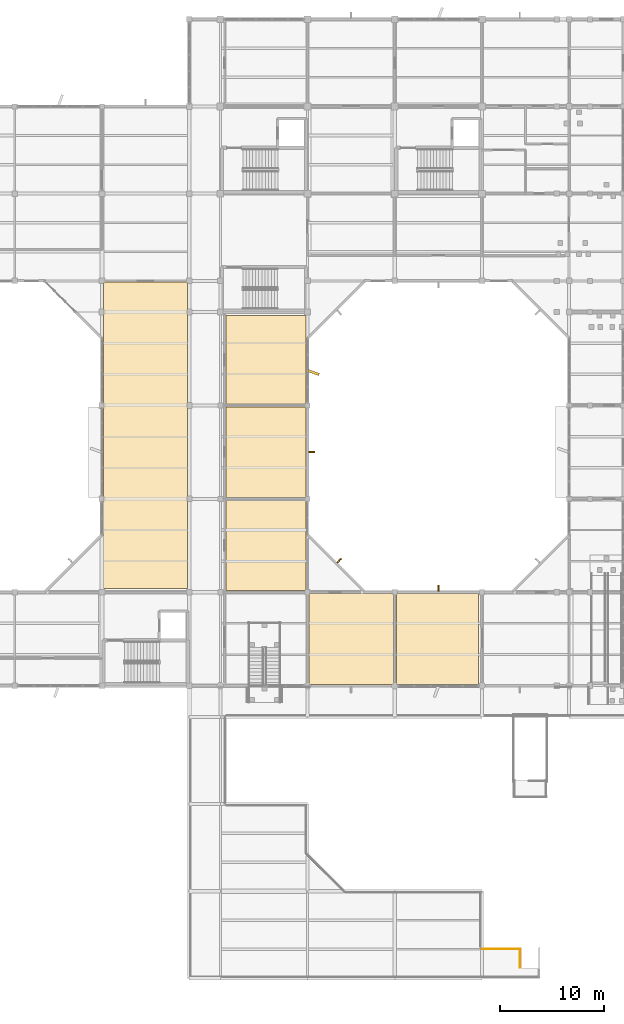
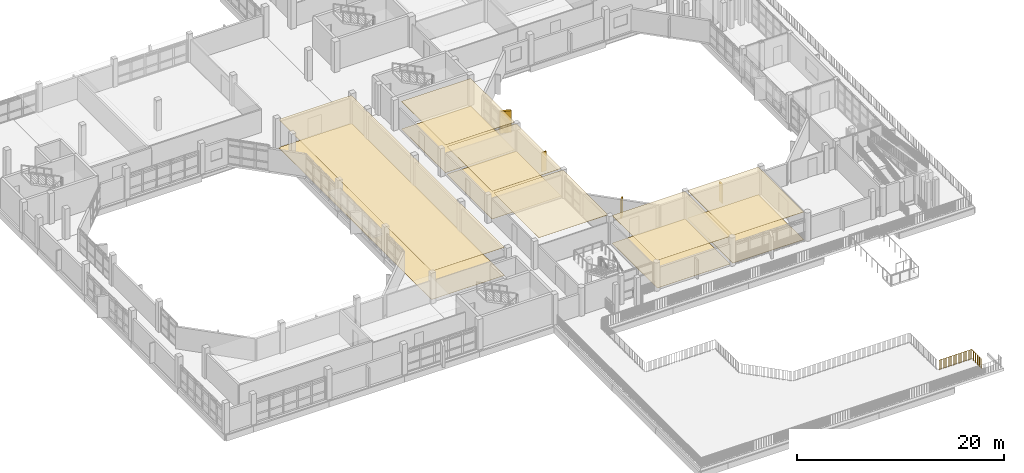
# One storey, part 42 of 51: 12 coverings, 3 shading devices, 2 railings.
"""IFC4 building model written with IfcOpenShell, lengths in metres."""

from ifc_helpers import new_model, si_unit, direction, frame, origin, origin_2d, place, context, subcontext, project, spatial, polyline, rectangle, circle, outline, extrude, material, layer, layer_set, type_object, element, save


model = new_model("IFC4")

# Units and contexts
model_context = context("Model", 3, precision=1e-05, world=origin(), true_north=direction((0.0, 1.0)))
body_context = subcontext(model_context, "Body", "Model", "MODEL_VIEW")
ifc_project = project(units=[si_unit("LENGTHUNIT", "METRE"), si_unit("AREAUNIT", "SQUARE_METRE"), si_unit("VOLUMEUNIT", "CUBIC_METRE"), si_unit("PLANEANGLEUNIT", "RADIAN"), si_unit("MASSUNIT", "GRAM", prefix="KILO")], contexts=[model_context])

# Site, building, storey
site_placement = place(None, origin())
site = spatial("IfcSite", under=ifc_project, at=site_placement, CompositionType="ELEMENT")
building_placement = place(site_placement, origin())
building = spatial("IfcBuilding", under=site, at=building_placement, Name="Vanh Quang Courtyard School", CompositionType="ELEMENT")
storey_placement = place(building_placement, frame((0.0, 0.0, 11.39990234375)))
storey = spatial("IfcBuildingStorey", under=building, at=storey_placement, Name="L03", CompositionType="ELEMENT", Elevation=11.39990234375)

# Coverings
ifc_material_1 = material(Name="Perforated mineral-fibre acoustic ceiling board")
ifc_layer_1 = layer(ifc_material_1, 0.02490234375)
ifc_layer_set_1 = layer_set([ifc_layer_1], Name="Perforated mineral-fibre acoustic ceiling board")
covering_type_1 = type_object("IfcCoveringType", Name="COV-CEIL-ACOUSTIC", PredefinedType="CEILING", material=ifc_layer_set_1)
covering_1_placement = place(storey_placement, frame((0.0, 0.0, 3.315185546875)))
element("IfcCovering", 1, at=covering_1_placement, inside=storey, type_object=covering_type_1, Name="Covering CV-CL1 (L03)", PredefinedType="CEILING", context=body_context, shape_type="SweptSolid", body=[
    extrude(outline(polyline([(66.1298828125, 71.260009765625), (66.1298828125, 71.260986328125), (66.130126953125, 71.261962890625), (66.13037109375, 71.262939453125), (66.130859375, 71.263916015625), (66.131103515625, 71.2646484375), (66.131591796875, 71.265625), (66.13232421875, 71.266357421875), (66.1328125, 71.26708984375), (66.1337890625, 71.267578125), (66.134521484375, 71.268310546875), (66.13525390625, 71.268798828125), (66.13623046875, 71.269287109375), (66.13720703125, 71.26953125), (66.137939453125, 71.269775390625), (66.138916015625, 71.27001953125), (66.139892578125, 71.27001953125), (74.239990234375, 71.27001953125), (74.240966796875, 71.27001953125), (74.241943359375, 71.269775390625), (74.242919921875, 71.26953125), (74.243896484375, 71.269287109375), (74.24462890625, 71.268798828125), (74.24560546875, 71.268310546875), (74.246337890625, 71.267578125), (74.2470703125, 71.26708984375), (74.247802734375, 71.266357421875), (74.248291015625, 71.265625), (74.248779296875, 71.2646484375), (74.249267578125, 71.263916015625), (74.24951171875, 71.262939453125), (74.249755859375, 71.261962890625), (74.25, 71.260986328125), (74.25, 71.260009765625), (74.25, 41.75), (66.1298828125, 41.75), (66.1298828125, 71.260009765625)])), origin(), (0.0, 0.0, 1.0), 0.02490234375),
])
covering_2_placement = place(storey_placement, frame((0.0, 0.0, 3.255126953125)))
element("IfcCovering", 2, at=covering_2_placement, inside=storey, type_object=covering_type_1, Name="Covering CV-CL1 (L03)", PredefinedType="CEILING", context=body_context, shape_type="SweptSolid", body=[
    extrude(outline(polyline([(77.9599609375, 41.550048828125), (77.958984375, 41.550048828125), (77.9580078125, 41.55029296875), (77.95703125, 41.55029296875), (77.956298828125, 41.55078125), (77.955322265625, 41.55126953125), (77.954345703125, 41.5517578125), (77.95361328125, 41.55224609375), (77.952880859375, 41.552978515625), (77.952392578125, 41.5537109375), (77.95166015625, 41.554443359375), (77.951171875, 41.555419921875), (77.95068359375, 41.55615234375), (77.950439453125, 41.55712890625), (77.9501953125, 41.55810546875), (77.949951171875, 41.55908203125), (77.949951171875, 41.56005859375), (77.949951171875, 50.260009765625), (77.949951171875, 50.260986328125), (77.9501953125, 50.261962890625), (77.950439453125, 50.262939453125), (77.95068359375, 50.263916015625), (77.951171875, 50.2646484375), (77.95166015625, 50.265625), (77.952392578125, 50.266357421875), (77.952880859375, 50.26708984375), (77.95361328125, 50.267578125), (77.954345703125, 50.268310546875), (77.955322265625, 50.268798828125), (77.956298828125, 50.269287109375), (77.95703125, 50.26953125), (77.9580078125, 50.269775390625), (77.958984375, 50.27001953125), (77.9599609375, 50.27001953125), (85.659912109375, 50.27001953125), (85.660888671875, 50.27001953125), (85.662109375, 50.269775390625), (85.662841796875, 50.26953125), (85.663818359375, 50.269287109375), (85.664794921875, 50.268798828125), (85.66552734375, 50.268310546875), (85.666259765625, 50.267578125), (85.6669921875, 50.26708984375), (85.667724609375, 50.266357421875), (85.668212890625, 50.265625), (85.668701171875, 50.2646484375), (85.669189453125, 50.263916015625), (85.669677734375, 50.262939453125), (85.669921875, 50.261962890625), (85.669921875, 50.260986328125), (85.669921875, 50.260009765625), (85.669921875, 41.56005859375), (85.669921875, 41.55908203125), (85.669921875, 41.55810546875), (85.669677734375, 41.55712890625), (85.669189453125, 41.55615234375), (85.668701171875, 41.555419921875), (85.668212890625, 41.554443359375), (85.667724609375, 41.5537109375), (85.6669921875, 41.552978515625), (85.666259765625, 41.55224609375), (85.66552734375, 41.5517578125), (85.664794921875, 41.55126953125), (85.663818359375, 41.55078125), (85.662841796875, 41.55029296875), (85.662109375, 41.55029296875), (85.660888671875, 41.550048828125), (85.659912109375, 41.550048828125), (77.9599609375, 41.550048828125)])), origin(), (0.0, 0.0, 1.0), 0.02490234375),
])
covering_3_placement = place(storey_placement, frame((0.0, 0.0, 3.255126953125)))
element("IfcCovering", 3, at=covering_3_placement, inside=storey, type_object=covering_type_1, Name="Covering CV-CL1 (L03)", PredefinedType="CEILING", context=body_context, shape_type="SweptSolid", body=[
    extrude(outline(polyline([(77.9599609375, 50.550048828125), (77.958984375, 50.550048828125), (77.9580078125, 50.55029296875), (77.95703125, 50.55029296875), (77.956298828125, 50.55078125), (77.955322265625, 50.55126953125), (77.954345703125, 50.5517578125), (77.95361328125, 50.55224609375), (77.952880859375, 50.552978515625), (77.952392578125, 50.5537109375), (77.95166015625, 50.554443359375), (77.951171875, 50.555419921875), (77.95068359375, 50.55615234375), (77.950439453125, 50.55712890625), (77.9501953125, 50.55810546875), (77.949951171875, 50.55908203125), (77.949951171875, 50.56005859375), (77.949951171875, 59.260009765625), (77.949951171875, 59.260986328125), (77.9501953125, 59.261962890625), (77.950439453125, 59.262939453125), (77.95068359375, 59.263916015625), (77.951171875, 59.2646484375), (77.95166015625, 59.265625), (77.952392578125, 59.266357421875), (77.952880859375, 59.26708984375), (77.95361328125, 59.267578125), (77.954345703125, 59.268310546875), (77.955322265625, 59.268798828125), (77.956298828125, 59.269287109375), (77.95703125, 59.26953125), (77.9580078125, 59.269775390625), (77.958984375, 59.27001953125), (77.9599609375, 59.27001953125), (85.659912109375, 59.27001953125), (85.660888671875, 59.27001953125), (85.662109375, 59.269775390625), (85.662841796875, 59.26953125), (85.663818359375, 59.269287109375), (85.664794921875, 59.268798828125), (85.66552734375, 59.268310546875), (85.666259765625, 59.267578125), (85.6669921875, 59.26708984375), (85.667724609375, 59.266357421875), (85.668212890625, 59.265625), (85.668701171875, 59.2646484375), (85.669189453125, 59.263916015625), (85.669677734375, 59.262939453125), (85.669921875, 59.261962890625), (85.669921875, 59.260986328125), (85.669921875, 59.260009765625), (85.669921875, 50.56005859375), (85.669921875, 50.55908203125), (85.669921875, 50.55810546875), (85.669677734375, 50.55712890625), (85.669189453125, 50.55615234375), (85.668701171875, 50.555419921875), (85.668212890625, 50.554443359375), (85.667724609375, 50.5537109375), (85.6669921875, 50.552978515625), (85.666259765625, 50.55224609375), (85.66552734375, 50.5517578125), (85.664794921875, 50.55126953125), (85.663818359375, 50.55078125), (85.662841796875, 50.55029296875), (85.662109375, 50.55029296875), (85.660888671875, 50.550048828125), (85.659912109375, 50.550048828125), (77.9599609375, 50.550048828125)])), origin(), (0.0, 0.0, 1.0), 0.02490234375),
])
covering_4_placement = place(storey_placement, frame((0.0, 0.0, 3.255126953125)))
element("IfcCovering", 4, at=covering_4_placement, inside=storey, type_object=covering_type_1, Name="Covering CV-CL1 (L03)", PredefinedType="CEILING", context=body_context, shape_type="SweptSolid", body=[
    extrude(outline(polyline([(77.9599609375, 59.550048828125), (77.958984375, 59.550048828125), (77.9580078125, 59.55029296875), (77.95703125, 59.55029296875), (77.956298828125, 59.55078125), (77.955322265625, 59.55126953125), (77.954345703125, 59.5517578125), (77.95361328125, 59.55224609375), (77.952880859375, 59.552978515625), (77.952392578125, 59.5537109375), (77.95166015625, 59.554443359375), (77.951171875, 59.555419921875), (77.95068359375, 59.55615234375), (77.950439453125, 59.55712890625), (77.9501953125, 59.55810546875), (77.949951171875, 59.55908203125), (77.949951171875, 59.56005859375), (77.949951171875, 68.050048828125), (85.669921875, 68.050048828125), (85.669921875, 59.56005859375), (85.669921875, 59.55908203125), (85.669921875, 59.55810546875), (85.669677734375, 59.55712890625), (85.669189453125, 59.55615234375), (85.668701171875, 59.555419921875), (85.668212890625, 59.554443359375), (85.667724609375, 59.5537109375), (85.6669921875, 59.552978515625), (85.666259765625, 59.55224609375), (85.66552734375, 59.5517578125), (85.664794921875, 59.55126953125), (85.663818359375, 59.55078125), (85.662841796875, 59.55029296875), (85.662109375, 59.55029296875), (85.660888671875, 59.550048828125), (85.659912109375, 59.550048828125), (77.9599609375, 59.550048828125)])), origin(), (0.0, 0.0, 1.0), 0.02490234375),
])
covering_5_placement = place(storey_placement, frame((0.0, 0.0, 3.255126953125)))
element("IfcCovering", 5, at=covering_5_placement, inside=storey, type_object=covering_type_1, Name="Covering CV-CL1 (L03)", PredefinedType="CEILING", context=body_context, shape_type="SweptSolid", body=[
    extrude(outline(polyline([(85.9599609375, 32.530029296875), (85.958984375, 32.530029296875), (85.9580078125, 32.5302734375), (85.95703125, 32.530517578125), (85.956298828125, 32.53076171875), (85.955322265625, 32.53125), (85.954345703125, 32.53173828125), (85.95361328125, 32.5322265625), (85.952880859375, 32.532958984375), (85.952392578125, 32.53369140625), (85.95166015625, 32.534423828125), (85.951171875, 32.535400390625), (85.95068359375, 32.5361328125), (85.950439453125, 32.537109375), (85.9501953125, 32.5380859375), (85.949951171875, 32.5390625), (85.949951171875, 32.5400390625), (85.949951171875, 41.260009765625), (85.949951171875, 41.260986328125), (85.9501953125, 41.261962890625), (85.950439453125, 41.262939453125), (85.95068359375, 41.263916015625), (85.951171875, 41.2646484375), (85.95166015625, 41.265625), (85.952392578125, 41.266357421875), (85.952880859375, 41.26708984375), (85.95361328125, 41.267578125), (85.954345703125, 41.268310546875), (85.955322265625, 41.268798828125), (85.956298828125, 41.269287109375), (85.95703125, 41.26953125), (85.9580078125, 41.269775390625), (85.958984375, 41.27001953125), (85.9599609375, 41.27001953125), (94.06005859375, 41.27001953125), (94.06103515625, 41.27001953125), (94.06201171875, 41.269775390625), (94.06298828125, 41.26953125), (94.063720703125, 41.269287109375), (94.064697265625, 41.268798828125), (94.065673828125, 41.268310546875), (94.06640625, 41.267578125), (94.067138671875, 41.26708984375), (94.067626953125, 41.266357421875), (94.068359375, 41.265625), (94.06884765625, 41.2646484375), (94.069091796875, 41.263916015625), (94.069580078125, 41.262939453125), (94.06982421875, 41.261962890625), (94.070068359375, 41.260986328125), (94.070068359375, 41.260009765625), (94.070068359375, 32.5400390625), (94.070068359375, 32.5390625), (94.06982421875, 32.5380859375), (94.069580078125, 32.537109375), (94.069091796875, 32.5361328125), (94.06884765625, 32.535400390625), (94.068359375, 32.534423828125), (94.067626953125, 32.53369140625), (94.067138671875, 32.532958984375), (94.06640625, 32.5322265625), (94.065673828125, 32.53173828125), (94.064697265625, 32.53125), (94.063720703125, 32.53076171875), (94.06298828125, 32.530517578125), (94.06201171875, 32.5302734375), (94.06103515625, 32.530029296875), (94.06005859375, 32.530029296875), (85.9599609375, 32.530029296875)])), origin(), (0.0, 0.0, 1.0), 0.02490234375),
])
covering_6_placement = place(storey_placement, frame((0.0, 0.0, 3.255126953125)))
element("IfcCovering", 6, at=covering_6_placement, inside=storey, type_object=covering_type_1, Name="Covering CV-CL1 (L03)", PredefinedType="CEILING", context=body_context, shape_type="SweptSolid", body=[
    extrude(outline(polyline([(94.360107421875, 32.530029296875), (94.35888671875, 32.530029296875), (94.35791015625, 32.5302734375), (94.357177734375, 32.530517578125), (94.356201171875, 32.53076171875), (94.355224609375, 32.53125), (94.3544921875, 32.53173828125), (94.353759765625, 32.5322265625), (94.352783203125, 32.532958984375), (94.352294921875, 32.53369140625), (94.351806640625, 32.534423828125), (94.351318359375, 32.535400390625), (94.350830078125, 32.5361328125), (94.350341796875, 32.537109375), (94.35009765625, 32.5380859375), (94.35009765625, 32.5390625), (94.35009765625, 32.5400390625), (94.35009765625, 41.260009765625), (94.35009765625, 41.260986328125), (94.35009765625, 41.261962890625), (94.350341796875, 41.262939453125), (94.350830078125, 41.263916015625), (94.351318359375, 41.2646484375), (94.351806640625, 41.265625), (94.352294921875, 41.266357421875), (94.352783203125, 41.26708984375), (94.353759765625, 41.267578125), (94.3544921875, 41.268310546875), (94.355224609375, 41.268798828125), (94.356201171875, 41.269287109375), (94.357177734375, 41.26953125), (94.35791015625, 41.269775390625), (94.35888671875, 41.27001953125), (94.360107421875, 41.27001953125), (102.25, 41.27001953125), (102.25, 32.530029296875), (94.360107421875, 32.530029296875)])), origin(), (0.0, 0.0, 1.0), 0.02490234375),
])
ifc_material_2 = material(Name="Polished cementitious terrazzo tile", Category="concrete")
ifc_layer_2 = layer(ifc_material_2, 0.02001953125)
ifc_layer_set_2 = layer_set([ifc_layer_2], Name="Polished cementitious terrazzo tile")
covering_type_2 = type_object("IfcCoveringType", Name="COV-FLR-TERRAZZO", PredefinedType="FLOORING", material=ifc_layer_set_2)
covering_7_placement = place(storey_placement, origin())
element("IfcCovering", 7, at=covering_7_placement, inside=storey, type_object=covering_type_2, Name="Covering CV-FL1 (L03)", PredefinedType="FLOORING", context=body_context, shape_type="SweptSolid", body=[
    extrude(outline(polyline([(66.1298828125, 71.260009765625), (66.1298828125, 71.260986328125), (66.130126953125, 71.261962890625), (66.13037109375, 71.262939453125), (66.130859375, 71.263916015625), (66.131103515625, 71.2646484375), (66.131591796875, 71.265625), (66.13232421875, 71.266357421875), (66.1328125, 71.26708984375), (66.1337890625, 71.267578125), (66.134521484375, 71.268310546875), (66.13525390625, 71.268798828125), (66.13623046875, 71.269287109375), (66.13720703125, 71.26953125), (66.137939453125, 71.269775390625), (66.138916015625, 71.27001953125), (66.139892578125, 71.27001953125), (74.239990234375, 71.27001953125), (74.240966796875, 71.27001953125), (74.241943359375, 71.269775390625), (74.242919921875, 71.26953125), (74.243896484375, 71.269287109375), (74.24462890625, 71.268798828125), (74.24560546875, 71.268310546875), (74.246337890625, 71.267578125), (74.2470703125, 71.26708984375), (74.247802734375, 71.266357421875), (74.248291015625, 71.265625), (74.248779296875, 71.2646484375), (74.249267578125, 71.263916015625), (74.24951171875, 71.262939453125), (74.249755859375, 71.261962890625), (74.25, 71.260986328125), (74.25, 71.260009765625), (74.25, 41.75), (66.1298828125, 41.75), (66.1298828125, 71.260009765625)])), origin(), (0.0, 0.0, 1.0), 0.02001953125),
])
covering_8_placement = place(storey_placement, origin())
element("IfcCovering", 8, at=covering_8_placement, inside=storey, type_object=covering_type_2, Name="Covering CV-FL1 (L03)", PredefinedType="FLOORING", context=body_context, shape_type="SweptSolid", body=[
    extrude(outline(polyline([(77.9599609375, 50.550048828125), (77.958984375, 50.550048828125), (77.9580078125, 50.55029296875), (77.95703125, 50.55029296875), (77.956298828125, 50.55078125), (77.955322265625, 50.55126953125), (77.954345703125, 50.5517578125), (77.95361328125, 50.55224609375), (77.952880859375, 50.552978515625), (77.952392578125, 50.5537109375), (77.95166015625, 50.554443359375), (77.951171875, 50.555419921875), (77.95068359375, 50.55615234375), (77.950439453125, 50.55712890625), (77.9501953125, 50.55810546875), (77.949951171875, 50.55908203125), (77.949951171875, 50.56005859375), (77.949951171875, 59.260009765625), (77.949951171875, 59.260986328125), (77.9501953125, 59.261962890625), (77.950439453125, 59.262939453125), (77.95068359375, 59.263916015625), (77.951171875, 59.2646484375), (77.95166015625, 59.265625), (77.952392578125, 59.266357421875), (77.952880859375, 59.26708984375), (77.95361328125, 59.267578125), (77.954345703125, 59.268310546875), (77.955322265625, 59.268798828125), (77.956298828125, 59.269287109375), (77.95703125, 59.26953125), (77.9580078125, 59.269775390625), (77.958984375, 59.27001953125), (77.9599609375, 59.27001953125), (85.659912109375, 59.27001953125), (85.660888671875, 59.27001953125), (85.662109375, 59.269775390625), (85.662841796875, 59.26953125), (85.663818359375, 59.269287109375), (85.664794921875, 59.268798828125), (85.66552734375, 59.268310546875), (85.666259765625, 59.267578125), (85.6669921875, 59.26708984375), (85.667724609375, 59.266357421875), (85.668212890625, 59.265625), (85.668701171875, 59.2646484375), (85.669189453125, 59.263916015625), (85.669677734375, 59.262939453125), (85.669921875, 59.261962890625), (85.669921875, 59.260986328125), (85.669921875, 59.260009765625), (85.669921875, 50.56005859375), (85.669921875, 50.55908203125), (85.669921875, 50.55810546875), (85.669677734375, 50.55712890625), (85.669189453125, 50.55615234375), (85.668701171875, 50.555419921875), (85.668212890625, 50.554443359375), (85.667724609375, 50.5537109375), (85.6669921875, 50.552978515625), (85.666259765625, 50.55224609375), (85.66552734375, 50.5517578125), (85.664794921875, 50.55126953125), (85.663818359375, 50.55078125), (85.662841796875, 50.55029296875), (85.662109375, 50.55029296875), (85.660888671875, 50.550048828125), (85.659912109375, 50.550048828125), (77.9599609375, 50.550048828125)])), origin(), (0.0, 0.0, 1.0), 0.02001953125),
])
covering_9_placement = place(storey_placement, origin())
element("IfcCovering", 9, at=covering_9_placement, inside=storey, type_object=covering_type_2, Name="Covering CV-FL1 (L03)", PredefinedType="FLOORING", context=body_context, shape_type="SweptSolid", body=[
    extrude(outline(polyline([(77.9599609375, 59.550048828125), (77.958984375, 59.550048828125), (77.9580078125, 59.55029296875), (77.95703125, 59.55029296875), (77.956298828125, 59.55078125), (77.955322265625, 59.55126953125), (77.954345703125, 59.5517578125), (77.95361328125, 59.55224609375), (77.952880859375, 59.552978515625), (77.952392578125, 59.5537109375), (77.95166015625, 59.554443359375), (77.951171875, 59.555419921875), (77.95068359375, 59.55615234375), (77.950439453125, 59.55712890625), (77.9501953125, 59.55810546875), (77.949951171875, 59.55908203125), (77.949951171875, 59.56005859375), (77.949951171875, 68.050048828125), (85.669921875, 68.050048828125), (85.669921875, 59.56005859375), (85.669921875, 59.55908203125), (85.669921875, 59.55810546875), (85.669677734375, 59.55712890625), (85.669189453125, 59.55615234375), (85.668701171875, 59.555419921875), (85.668212890625, 59.554443359375), (85.667724609375, 59.5537109375), (85.6669921875, 59.552978515625), (85.666259765625, 59.55224609375), (85.66552734375, 59.5517578125), (85.664794921875, 59.55126953125), (85.663818359375, 59.55078125), (85.662841796875, 59.55029296875), (85.662109375, 59.55029296875), (85.660888671875, 59.550048828125), (85.659912109375, 59.550048828125), (77.9599609375, 59.550048828125)])), origin(), (0.0, 0.0, 1.0), 0.02001953125),
])
covering_10_placement = place(storey_placement, origin())
element("IfcCovering", 10, at=covering_10_placement, inside=storey, type_object=covering_type_2, Name="Covering CV-FL1 (L03)", PredefinedType="FLOORING", context=body_context, shape_type="SweptSolid", body=[
    extrude(outline(polyline([(85.9599609375, 32.530029296875), (85.958984375, 32.530029296875), (85.9580078125, 32.5302734375), (85.95703125, 32.530517578125), (85.956298828125, 32.53076171875), (85.955322265625, 32.53125), (85.954345703125, 32.53173828125), (85.95361328125, 32.5322265625), (85.952880859375, 32.532958984375), (85.952392578125, 32.53369140625), (85.95166015625, 32.534423828125), (85.951171875, 32.535400390625), (85.95068359375, 32.5361328125), (85.950439453125, 32.537109375), (85.9501953125, 32.5380859375), (85.949951171875, 32.5390625), (85.949951171875, 32.5400390625), (85.949951171875, 41.260009765625), (85.949951171875, 41.260986328125), (85.9501953125, 41.261962890625), (85.950439453125, 41.262939453125), (85.95068359375, 41.263916015625), (85.951171875, 41.2646484375), (85.95166015625, 41.265625), (85.952392578125, 41.266357421875), (85.952880859375, 41.26708984375), (85.95361328125, 41.267578125), (85.954345703125, 41.268310546875), (85.955322265625, 41.268798828125), (85.956298828125, 41.269287109375), (85.95703125, 41.26953125), (85.9580078125, 41.269775390625), (85.958984375, 41.27001953125), (85.9599609375, 41.27001953125), (94.06005859375, 41.27001953125), (94.06103515625, 41.27001953125), (94.06201171875, 41.269775390625), (94.06298828125, 41.26953125), (94.063720703125, 41.269287109375), (94.064697265625, 41.268798828125), (94.065673828125, 41.268310546875), (94.06640625, 41.267578125), (94.067138671875, 41.26708984375), (94.067626953125, 41.266357421875), (94.068359375, 41.265625), (94.06884765625, 41.2646484375), (94.069091796875, 41.263916015625), (94.069580078125, 41.262939453125), (94.06982421875, 41.261962890625), (94.070068359375, 41.260986328125), (94.070068359375, 41.260009765625), (94.070068359375, 32.5400390625), (94.070068359375, 32.5390625), (94.06982421875, 32.5380859375), (94.069580078125, 32.537109375), (94.069091796875, 32.5361328125), (94.06884765625, 32.535400390625), (94.068359375, 32.534423828125), (94.067626953125, 32.53369140625), (94.067138671875, 32.532958984375), (94.06640625, 32.5322265625), (94.065673828125, 32.53173828125), (94.064697265625, 32.53125), (94.063720703125, 32.53076171875), (94.06298828125, 32.530517578125), (94.06201171875, 32.5302734375), (94.06103515625, 32.530029296875), (94.06005859375, 32.530029296875), (85.9599609375, 32.530029296875)])), origin(), (0.0, 0.0, 1.0), 0.02001953125),
])
covering_11_placement = place(storey_placement, origin())
element("IfcCovering", 11, at=covering_11_placement, inside=storey, type_object=covering_type_2, Name="Covering CV-FL1 (L03)", PredefinedType="FLOORING", context=body_context, shape_type="SweptSolid", body=[
    extrude(outline(polyline([(94.360107421875, 32.530029296875), (94.35888671875, 32.530029296875), (94.35791015625, 32.5302734375), (94.357177734375, 32.530517578125), (94.356201171875, 32.53076171875), (94.355224609375, 32.53125), (94.3544921875, 32.53173828125), (94.353759765625, 32.5322265625), (94.352783203125, 32.532958984375), (94.352294921875, 32.53369140625), (94.351806640625, 32.534423828125), (94.351318359375, 32.535400390625), (94.350830078125, 32.5361328125), (94.350341796875, 32.537109375), (94.35009765625, 32.5380859375), (94.35009765625, 32.5390625), (94.35009765625, 32.5400390625), (94.35009765625, 41.260009765625), (94.35009765625, 41.260986328125), (94.35009765625, 41.261962890625), (94.350341796875, 41.262939453125), (94.350830078125, 41.263916015625), (94.351318359375, 41.2646484375), (94.351806640625, 41.265625), (94.352294921875, 41.266357421875), (94.352783203125, 41.26708984375), (94.353759765625, 41.267578125), (94.3544921875, 41.268310546875), (94.355224609375, 41.268798828125), (94.356201171875, 41.269287109375), (94.357177734375, 41.26953125), (94.35791015625, 41.269775390625), (94.35888671875, 41.27001953125), (94.360107421875, 41.27001953125), (102.25, 41.27001953125), (102.25, 32.530029296875), (94.360107421875, 32.530029296875)])), origin(), (0.0, 0.0, 1.0), 0.02001953125),
])
ifc_material_3 = material(Name="Board-marked precast concrete C40/50", Category="concrete")
ifc_layer_3 = layer(ifc_material_3, 0.239990234375)
ifc_layer_set_3 = layer_set([ifc_layer_3], Name="Board-marked precast concrete C40/50")
covering_type_3 = type_object("IfcCoveringType", Name="COV-HOOD-CONC", PredefinedType="CLADDING", material=ifc_layer_set_3)
covering_12_placement = place(storey_placement, frame((86.385009765625, 62.56689453125, 0.0), z_axis=(0.0, 0.0, 1.0), x_axis=(0.94028812701, -0.340379550213, 0.0)))
element("IfcCovering", 12, at=covering_12_placement, inside=storey, type_object=covering_type_3, Name="Covering CH-01 (L03)", PredefinedType="CLADDING", context=body_context, shape_type="SweptSolid", body=[
    extrude(rectangle(XDim=1.11669921875, YDim=0.239990234375, at=origin_2d()), origin(), (0.0, 0.0, 1.0), 2.56005859375),
])

# Railings
ifc_material_4 = material(Name="Galvanised painted steel EN 10025-2 S355J2", Category="steel")
railing_type = type_object("IfcRailingType", Name="RAIL-GUARD-1150", PredefinedType="BALUSTRADE", material=ifc_material_4)
railing_1_placement = place(storey_placement, frame((102.64990234375, 7.06005859375, 0.0)))
element("IfcRailing", 13, at=railing_1_placement, inside=storey, type_object=railing_type, Name="Railing GR-01 (L03)", PredefinedType="BALUSTRADE", context=body_context, shape_type="SweptSolid", body=[
    extrude(circle(Radius=0.02392578125, at=origin_2d()), frame((0.0, 0.0, 1.1259765625), z_axis=(1.0, 0.0, 0.0), x_axis=(0.0, 1.0, 0.0)), (0.0, 0.0, 1.0), 3.614990234375),
    extrude(circle(Radius=0.02099609375, at=origin_2d()), origin(), (0.0, 0.0, 1.0), 1.101806640625),
    extrude(circle(Radius=0.02099609375, at=origin_2d()), frame((0.13916015625, 0.0, 0.0)), (0.0, 0.0, 1.0), 1.101806640625),
    extrude(circle(Radius=0.02099609375, at=origin_2d()), frame((0.278076171875, 0.0, 0.0)), (0.0, 0.0, 1.0), 1.101806640625),
    extrude(circle(Radius=0.02099609375, at=origin_2d()), frame((0.4169921875, 0.0, 0.0)), (0.0, 0.0, 1.0), 1.101806640625),
    extrude(circle(Radius=0.02099609375, at=origin_2d()), frame((0.55615234375, 0.0, 0.0)), (0.0, 0.0, 1.0), 1.101806640625),
    extrude(circle(Radius=0.02099609375, at=origin_2d()), frame((0.6953125, 0.0, 0.0)), (0.0, 0.0, 1.0), 1.101806640625),
    extrude(circle(Radius=0.02099609375, at=origin_2d()), frame((0.834228515625, 0.0, 0.0)), (0.0, 0.0, 1.0), 1.101806640625),
    extrude(circle(Radius=0.02099609375, at=origin_2d()), frame((0.97314453125, 0.0, 0.0)), (0.0, 0.0, 1.0), 1.101806640625),
    extrude(circle(Radius=0.02099609375, at=origin_2d()), frame((1.1123046875, 0.0, 0.0)), (0.0, 0.0, 1.0), 1.101806640625),
    extrude(circle(Radius=0.02099609375, at=origin_2d()), frame((1.25146484375, 0.0, 0.0)), (0.0, 0.0, 1.0), 1.101806640625),
    extrude(circle(Radius=0.02099609375, at=origin_2d()), frame((1.390380859375, 0.0, 0.0)), (0.0, 0.0, 1.0), 1.101806640625),
    extrude(circle(Radius=0.02099609375, at=origin_2d()), frame((1.529296875, 0.0, 0.0)), (0.0, 0.0, 1.0), 1.101806640625),
    extrude(circle(Radius=0.02099609375, at=origin_2d()), frame((1.66845703125, 0.0, 0.0)), (0.0, 0.0, 1.0), 1.101806640625),
    extrude(circle(Radius=0.02099609375, at=origin_2d()), frame((1.8076171875, 0.0, 0.0)), (0.0, 0.0, 1.0), 1.101806640625),
    extrude(circle(Radius=0.02099609375, at=origin_2d()), frame((1.946533203125, 0.0, 0.0)), (0.0, 0.0, 1.0), 1.101806640625),
    extrude(circle(Radius=0.02099609375, at=origin_2d()), frame((2.08544921875, 0.0, 0.0)), (0.0, 0.0, 1.0), 1.101806640625),
    extrude(circle(Radius=0.02099609375, at=origin_2d()), frame((2.224609375, 0.0, 0.0)), (0.0, 0.0, 1.0), 1.101806640625),
    extrude(circle(Radius=0.02099609375, at=origin_2d()), frame((2.36376953125, 0.0, 0.0)), (0.0, 0.0, 1.0), 1.101806640625),
    extrude(circle(Radius=0.02099609375, at=origin_2d()), frame((2.502685546875, 0.0, 0.0)), (0.0, 0.0, 1.0), 1.101806640625),
    extrude(circle(Radius=0.02099609375, at=origin_2d()), frame((2.6416015625, 0.0, 0.0)), (0.0, 0.0, 1.0), 1.101806640625),
    extrude(circle(Radius=0.02099609375, at=origin_2d()), frame((2.78076171875, 0.0, 0.0)), (0.0, 0.0, 1.0), 1.101806640625),
    extrude(circle(Radius=0.02099609375, at=origin_2d()), frame((2.919921875, 0.0, 0.0)), (0.0, 0.0, 1.0), 1.101806640625),
    extrude(circle(Radius=0.02099609375, at=origin_2d()), frame((3.058837890625, 0.0, 0.0)), (0.0, 0.0, 1.0), 1.101806640625),
    extrude(circle(Radius=0.02099609375, at=origin_2d()), frame((3.19775390625, 0.0, 0.0)), (0.0, 0.0, 1.0), 1.101806640625),
    extrude(circle(Radius=0.02099609375, at=origin_2d()), frame((3.3369140625, 0.0, 0.0)), (0.0, 0.0, 1.0), 1.101806640625),
    extrude(circle(Radius=0.02099609375, at=origin_2d()), frame((3.47607421875, 0.0, 0.0)), (0.0, 0.0, 1.0), 1.101806640625),
    extrude(circle(Radius=0.02099609375, at=origin_2d()), frame((3.614990234375, 0.0, 0.0)), (0.0, 0.0, 1.0), 1.101806640625),
])
railing_2_placement = place(storey_placement, frame((106.264892578125, 7.06005859375, 0.0)))
element("IfcRailing", 14, at=railing_2_placement, inside=storey, type_object=railing_type, Name="Railing GR-01 (L03)", PredefinedType="BALUSTRADE", context=body_context, shape_type="SweptSolid", body=[
    extrude(circle(Radius=0.02392578125, at=origin_2d()), frame((0.0, 0.0, 1.1259765625), z_axis=(0.0, -1.0, 0.0), x_axis=(1.0, 0.0, 0.0)), (0.0, 0.0, 1.0), 1.824951171875),
    extrude(circle(Radius=0.02099609375, at=origin_2d()), origin(), (0.0, 0.0, 1.0), 1.101806640625),
    extrude(circle(Radius=0.02099609375, at=origin_2d()), frame((0.0, -0.13037109375, 0.0)), (0.0, 0.0, 1.0), 1.101806640625),
    extrude(circle(Radius=0.02099609375, at=origin_2d()), frame((0.0, -0.2607421875, 0.0)), (0.0, 0.0, 1.0), 1.101806640625),
    extrude(circle(Radius=0.02099609375, at=origin_2d()), frame((0.0, -0.39111328125, 0.0)), (0.0, 0.0, 1.0), 1.101806640625),
    extrude(circle(Radius=0.02099609375, at=origin_2d()), frame((0.0, -0.521484375, 0.0)), (0.0, 0.0, 1.0), 1.101806640625),
    extrude(circle(Radius=0.02099609375, at=origin_2d()), frame((0.0, -0.65185546875, 0.0)), (0.0, 0.0, 1.0), 1.101806640625),
    extrude(circle(Radius=0.02099609375, at=origin_2d()), frame((0.0, -0.7822265625, 0.0)), (0.0, 0.0, 1.0), 1.101806640625),
    extrude(circle(Radius=0.02099609375, at=origin_2d()), frame((0.0, -0.91259765625, 0.0)), (0.0, 0.0, 1.0), 1.101806640625),
    extrude(circle(Radius=0.02099609375, at=origin_2d()), frame((0.0, -1.042724609375, 0.0)), (0.0, 0.0, 1.0), 1.101806640625),
    extrude(circle(Radius=0.02099609375, at=origin_2d()), frame((0.0, -1.173095703125, 0.0)), (0.0, 0.0, 1.0), 1.101806640625),
    extrude(circle(Radius=0.02099609375, at=origin_2d()), frame((0.0, -1.303466796875, 0.0)), (0.0, 0.0, 1.0), 1.101806640625),
    extrude(circle(Radius=0.02099609375, at=origin_2d()), frame((0.0, -1.433837890625, 0.0)), (0.0, 0.0, 1.0), 1.101806640625),
    extrude(circle(Radius=0.02099609375, at=origin_2d()), frame((0.0, -1.564208984375, 0.0)), (0.0, 0.0, 1.0), 1.101806640625),
    extrude(circle(Radius=0.02099609375, at=origin_2d()), frame((0.0, -1.694580078125, 0.0)), (0.0, 0.0, 1.0), 1.101806640625),
    extrude(circle(Radius=0.02099609375, at=origin_2d()), frame((0.0, -1.824951171875, 0.0)), (0.0, 0.0, 1.0), 1.101806640625),
])

# Shading devices
shading_device_type = type_object("IfcShadingDeviceType", Name="SHD-FIN-CONCRETE", PredefinedType="USERDEFINED", material=ifc_material_3)
shading_device_1_placement = place(storey_placement, frame((86.195068359375, 54.89990234375, 0.14990234375), z_axis=(0.0, 0.0, 1.0), x_axis=(0.0, -1.0, 0.0)))
element("IfcShadingDevice", 15, at=shading_device_1_placement, inside=storey, type_object=shading_device_type, Name="Solar Shading SH-02 (L03)", ObjectType="Solar Shading SH-02 (L03)", PredefinedType="USERDEFINED", context=body_context, shape_type="SweptSolid", body=[
    extrude(rectangle(XDim=0.139892578125, YDim=0.550048828125, at=origin_2d()), origin(), (0.0, 0.0, 1.0), 2.280029296875),
])
shading_device_2_placement = place(storey_placement, frame((88.851318359375, 44.451416015625, 0.150146484375), z_axis=(0.0, 0.0, 1.0), x_axis=(0.707106781187, -0.707106781187, 0.0)))
element("IfcShadingDevice", 16, at=shading_device_2_placement, inside=storey, type_object=shading_device_type, Name="Solar Shading SH-02 (L03)", ObjectType="Solar Shading SH-02 (L03)", PredefinedType="USERDEFINED", context=body_context, shape_type="SweptSolid", body=[
    extrude(rectangle(XDim=0.139892578125, YDim=0.550048828125, at=origin_2d()), origin(), (0.0, 0.0, 1.0), 2.22998046875),
])
shading_device_3_placement = place(storey_placement, frame((98.39990234375, 41.794921875, 0.14990234375), z_axis=(0.0, 0.0, 1.0), x_axis=(1.0, 0.0, 0.0)))
element("IfcShadingDevice", 17, at=shading_device_3_placement, inside=storey, type_object=shading_device_type, Name="Solar Shading SH-02 (L03)", ObjectType="Solar Shading SH-02 (L03)", PredefinedType="USERDEFINED", context=body_context, shape_type="SweptSolid", body=[
    extrude(rectangle(XDim=0.139892578125, YDim=0.550048828125, at=origin_2d()), origin(), (0.0, 0.0, 1.0), 2.280029296875),
])

save(model, "model.ifc")
